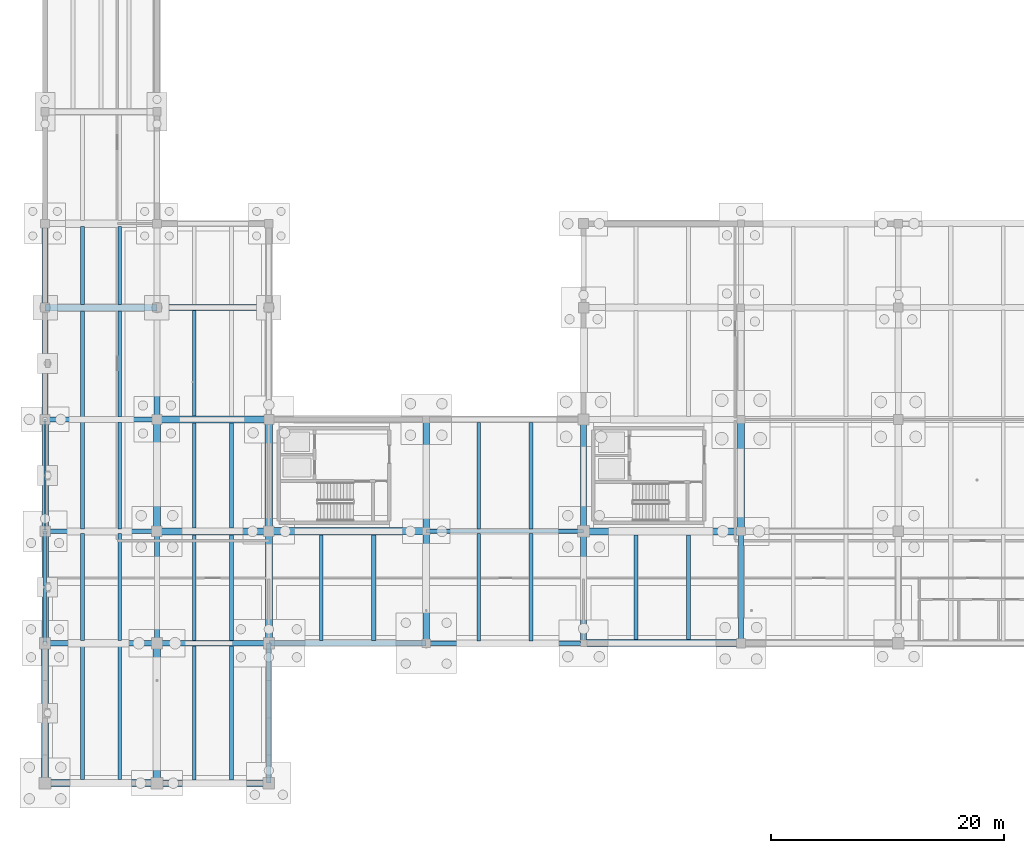
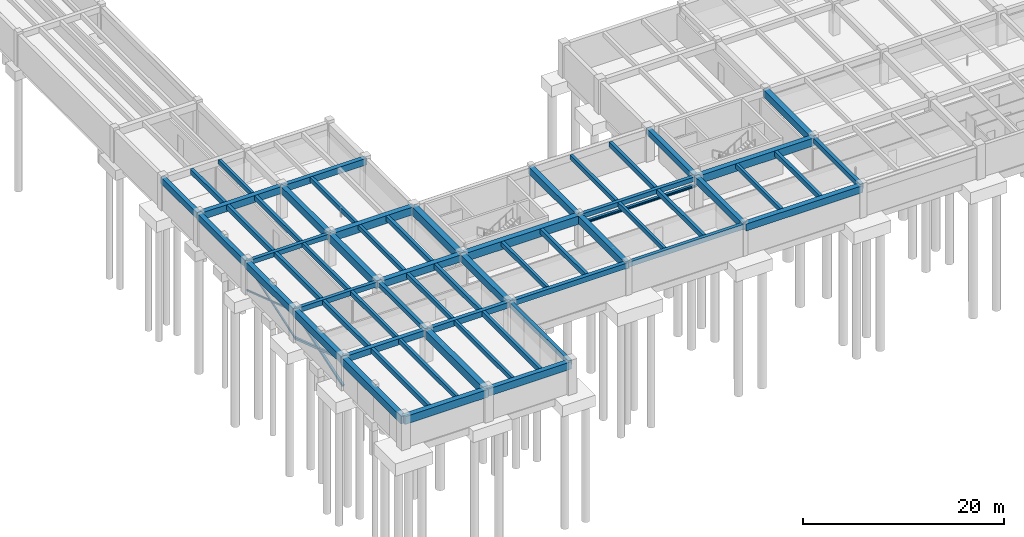
# One storey, part 9 of 41: 60 beams, 6 members.
"""IFC4 building model written with IfcOpenShell, lengths in metres."""

from ifc_helpers import new_model, si_unit, direction, frame, origin, origin_2d, place, context, subcontext, project, spatial, rectangle, hollow_rectangle, i_section, extrude, material, material_profile, profile_set, type_object, element, save


model = new_model("IFC4")

# Units and contexts
model_context = context("Model", 3, precision=1e-05, world=origin(), true_north=direction((0.0, 1.0)))
body_context = subcontext(model_context, "Body", "Model", "MODEL_VIEW")
ifc_project = project(units=[si_unit("LENGTHUNIT", "METRE"), si_unit("AREAUNIT", "SQUARE_METRE"), si_unit("VOLUMEUNIT", "CUBIC_METRE"), si_unit("PLANEANGLEUNIT", "RADIAN"), si_unit("MASSUNIT", "GRAM", prefix="KILO")], contexts=[model_context])

# Site, building, storey
site_placement = place(None, origin())
site = spatial("IfcSite", under=ifc_project, at=site_placement, CompositionType="ELEMENT")
building_placement = place(site_placement, origin())
building = spatial("IfcBuilding", under=site, at=building_placement, Name="Fikremerkos Civic Library", CompositionType="ELEMENT")
storey_placement = place(building_placement, frame((0.0, 0.0, -8.39990234375)))
storey = spatial("IfcBuildingStorey", under=building, at=storey_placement, Name="B02", CompositionType="ELEMENT", Elevation=-8.39990234375)

# Members
ifc_material_1 = material(Name="Steel S355", Category="steel")
ifc_material_profile_1 = material_profile(ifc_material_1, hollow_rectangle(XDim=0.25, YDim=0.25, WallThickness=0.012451171875, at=origin_2d()), Name="SHS 250x250x12.5")
ifc_profile_set_1 = profile_set([ifc_material_profile_1], Name="Steel S355")
member_type_1 = type_object("IfcMemberType", Name="Diagonal brace BRC-01 SHS 250x250x12.5", PredefinedType="BRACE", material=ifc_profile_set_1)
member_1_placement = place(storey_placement, frame((0.0, 12.0, 0.199951171875), z_axis=(0.0, 0.948388641357, 0.317110367137), x_axis=(-1.0, 0.0, 0.0)))
element("IfcMember", 1, at=member_1_placement, inside=storey, type_object=member_type_1, Name="Lateral X-brace continuous diagonal BRC-01 B02 #1", PredefinedType="BRACE", context=body_context, shape_type="SweptSolid", body=[
    extrude(hollow_rectangle(XDim=0.25, YDim=0.25, WallThickness=0.012451171875, at=origin_2d()), origin(), (0.0, 0.0, 1.0), 10.12255859375),
])
member_2_placement = place(storey_placement, frame((0.0, 21.60009765625, 0.199951171875), z_axis=(0.0, -0.948395001023, 0.317091346516), x_axis=(1.0, 0.0, 0.0)))
element("IfcMember", 2, at=member_2_placement, inside=storey, type_object=member_type_1, Name="Lateral X-brace split lower segment BRC-01 B02 #1", PredefinedType="BRACE", context=body_context, shape_type="SweptSolid", body=[
    extrude(hollow_rectangle(XDim=0.25, YDim=0.25, WallThickness=0.012451171875, at=origin_2d()), origin(), (0.0, 0.0, 1.0), 4.91845703125),
])
member_3_placement = place(storey_placement, frame((0.0, 16.664306640625, 1.850341796875), z_axis=(0.0, -0.948390009662, 0.317106274887), x_axis=(1.0, 0.0, 0.0)))
element("IfcMember", 3, at=member_3_placement, inside=storey, type_object=member_type_1, Name="Lateral X-brace split upper segment BRC-01 B02 #1", PredefinedType="BRACE", context=body_context, shape_type="SweptSolid", body=[
    extrude(hollow_rectangle(XDim=0.25, YDim=0.25, WallThickness=0.012451171875, at=origin_2d()), origin(), (0.0, 0.0, 1.0), 4.918212890625),
])
ifc_material_profile_2 = material_profile(ifc_material_1, hollow_rectangle(XDim=0.159912109375, YDim=0.159912109375, WallThickness=0.008056640625, at=origin_2d()), Name="SHS 160x160x8")
ifc_profile_set_2 = profile_set([ifc_material_profile_2], Name="Steel S355")
member_type_2 = type_object("IfcMemberType", Name="Diagonal brace BRC-03 SHS 160x160x8", PredefinedType="BRACE", material=ifc_profile_set_2)
member_4_placement = place(storey_placement, frame((0.0, 21.60009765625, 0.199951171875), z_axis=(0.0, 0.948386215939, 0.317117620792), x_axis=(-1.0, 0.0, 0.0)))
element("IfcMember", 4, at=member_4_placement, inside=storey, type_object=member_type_2, Name="Lateral X-brace continuous diagonal BRC-03 B02 #2", PredefinedType="BRACE", context=body_context, shape_type="SweptSolid", body=[
    extrude(hollow_rectangle(XDim=0.159912109375, YDim=0.159912109375, WallThickness=0.008056640625, at=origin_2d()), origin(), (0.0, 0.0, 1.0), 10.122314453125),
])
for number, where, z_axis, x_axis, name in (
    (5, (0.0, 31.199951171875, 0.199951171875), (0.0, -0.948382812098, 0.31712780029), (1.0, 0.0, 0.0), "Lateral X-brace split lower segment BRC-03 B02 #2"),
    (6, (0.0, 26.30712890625, 1.8359375), (0.0, -0.948382812098, 0.31712780029), (1.0, 0.0, 0.0), "Lateral X-brace split upper segment BRC-03 B02 #2"),
):
    element("IfcMember", number, at=place(storey_placement, frame(where, z_axis=z_axis, x_axis=x_axis)), inside=storey, type_object=member_type_2, Name=name, PredefinedType="BRACE", context=body_context, shape_type="SweptSolid", body=[
        extrude(hollow_rectangle(XDim=0.159912109375, YDim=0.159912109375, WallThickness=0.008056640625, at=origin_2d()), origin(), (0.0, 0.0, 1.0), 4.963134765625),
    ])

# Beams
ifc_material_2 = material(Name="Concrete C40/50", Category="concrete")
ifc_material_profile_3 = material_profile(ifc_material_2, rectangle(XDim=0.35009765625, YDim=0.60009765625, at=origin_2d()), Name="RC 350x600")
ifc_profile_set_3 = profile_set([ifc_material_profile_3], Name="Concrete C40/50")
beam_type_1 = type_object("IfcBeamType", Name="Floor joist JS-01 RC 350x600", PredefinedType="JOIST", material=ifc_profile_set_3)
beam_1_placement = place(storey_placement, frame((3.199951171875, 0.300048828125, 3.559814453125), z_axis=(0.0, 1.0, 0.0), x_axis=(-1.0, 0.0, 0.0)))
element("IfcBeam", 7, at=beam_1_placement, inside=storey, type_object=beam_type_1, Name="Floor joist JS-01 B02 #1", PredefinedType="JOIST", context=body_context, shape_type="SweptSolid", body=[
    extrude(rectangle(XDim=0.35009765625, YDim=0.60009765625, at=origin_2d()), origin(), (0.0, 0.0, 1.0), 11.449951171875),
])
beam_2_placement = place(storey_placement, frame((3.199951171875, 12.25, 3.559814453125), z_axis=(0.0, 1.0, 0.0), x_axis=(-1.0, 0.0, 0.0)))
element("IfcBeam", 8, at=beam_2_placement, inside=storey, type_object=beam_type_1, Name="Floor joist JS-01 B02 #3", PredefinedType="JOIST", context=body_context, shape_type="SweptSolid", body=[
    extrude(rectangle(XDim=0.35009765625, YDim=0.60009765625, at=origin_2d()), origin(), (0.0, 0.0, 1.0), 9.14990234375),
])
beam_3_placement = place(storey_placement, frame((3.199951171875, 21.800048828125, 3.559814453125), z_axis=(0.0, 1.0, 0.0), x_axis=(-1.0, 0.0, 0.0)))
element("IfcBeam", 9, at=beam_3_placement, inside=storey, type_object=beam_type_1, Name="Floor joist JS-01 B02 #5", PredefinedType="JOIST", context=body_context, shape_type="SweptSolid", body=[
    extrude(rectangle(XDim=0.35009765625, YDim=0.60009765625, at=origin_2d()), origin(), (0.0, 0.0, 1.0), 9.199951171875),
])
beam_4_placement = place(storey_placement, frame((3.199951171875, 31.39990234375, 3.559814453125), z_axis=(0.0, 1.0, 0.0), x_axis=(-1.0, 0.0, 0.0)))
element("IfcBeam", 10, at=beam_4_placement, inside=storey, type_object=beam_type_1, Name="Floor joist JS-01 B02 #7", PredefinedType="JOIST", context=body_context, shape_type="SweptSolid", body=[
    extrude(rectangle(XDim=0.35009765625, YDim=0.60009765625, at=origin_2d()), origin(), (0.0, 0.0, 1.0), 9.125),
])
beam_5_placement = place(storey_placement, frame((3.199951171875, 41.074951171875, 3.559814453125), z_axis=(0.0, 1.0, 0.0), x_axis=(-1.0, 0.0, 0.0)))
element("IfcBeam", 11, at=beam_5_placement, inside=storey, type_object=beam_type_1, Name="Floor joist JS-01 B02 #9", PredefinedType="JOIST", context=body_context, shape_type="SweptSolid", body=[
    extrude(rectangle(XDim=0.35009765625, YDim=0.60009765625, at=origin_2d()), origin(), (0.0, 0.0, 1.0), 6.675048828125),
])
beam_6_placement = place(storey_placement, frame((16.0, 0.27490234375, 3.559814453125), z_axis=(0.0, 1.0, 0.0), x_axis=(-1.0, 0.0, 0.0)))
element("IfcBeam", 12, at=beam_6_placement, inside=storey, type_object=beam_type_1, Name="Floor joist JS-01 B02 #23", PredefinedType="JOIST", context=body_context, shape_type="SweptSolid", body=[
    extrude(rectangle(XDim=0.35009765625, YDim=0.60009765625, at=origin_2d()), origin(), (0.0, 0.0, 1.0), 11.5),
])
beam_7_placement = place(storey_placement, frame((16.0, 12.22509765625, 3.559814453125), z_axis=(0.0, 1.0, 0.0), x_axis=(-1.0, 0.0, 0.0)))
element("IfcBeam", 13, at=beam_7_placement, inside=storey, type_object=beam_type_1, Name="Floor joist JS-01 B02 #25", PredefinedType="JOIST", context=body_context, shape_type="SweptSolid", body=[
    extrude(rectangle(XDim=0.35009765625, YDim=0.60009765625, at=origin_2d()), origin(), (0.0, 0.0, 1.0), 9.074951171875),
])
beam_8_placement = place(storey_placement, frame((16.0, 21.89990234375, 3.559814453125), z_axis=(0.0, 1.0, 0.0), x_axis=(-1.0, 0.0, 0.0)))
element("IfcBeam", 14, at=beam_8_placement, inside=storey, type_object=beam_type_1, Name="Floor joist JS-01 B02 #27", PredefinedType="JOIST", context=body_context, shape_type="SweptSolid", body=[
    extrude(rectangle(XDim=0.35009765625, YDim=0.60009765625, at=origin_2d()), origin(), (0.0, 0.0, 1.0), 9.0),
])
beam_9_placement = place(storey_placement, frame((28.199951171875, 12.22509765625, 3.559814453125), z_axis=(0.0, 1.0, 0.0), x_axis=(-1.0, 0.0, 0.0)))
element("IfcBeam", 15, at=beam_9_placement, inside=storey, type_object=beam_type_1, Name="Floor joist JS-01 B02 #33", PredefinedType="JOIST", context=body_context, shape_type="SweptSolid", body=[
    extrude(rectangle(XDim=0.35009765625, YDim=0.60009765625, at=origin_2d()), origin(), (0.0, 0.0, 1.0), 9.0498046875),
])
beam_10_placement = place(storey_placement, frame((41.699951171875, 12.199951171875, 3.559814453125), z_axis=(0.0, 1.0, 0.0), x_axis=(-1.0, 0.0, 0.0)))
element("IfcBeam", 16, at=beam_10_placement, inside=storey, type_object=beam_type_1, Name="Floor joist JS-01 B02 #35", PredefinedType="JOIST", context=body_context, shape_type="SweptSolid", body=[
    extrude(rectangle(XDim=0.35009765625, YDim=0.60009765625, at=origin_2d()), origin(), (0.0, 0.0, 1.0), 9.199951171875),
])
beam_11_placement = place(storey_placement, frame((41.699951171875, 21.800048828125, 3.559814453125), z_axis=(0.0, 1.0, 0.0), x_axis=(-1.0, 0.0, 0.0)))
element("IfcBeam", 17, at=beam_11_placement, inside=storey, type_object=beam_type_1, Name="Floor joist JS-01 B02 #37", PredefinedType="JOIST", context=body_context, shape_type="SweptSolid", body=[
    extrude(rectangle(XDim=0.35009765625, YDim=0.60009765625, at=origin_2d()), origin(), (0.0, 0.0, 1.0), 9.125),
])
beam_12_placement = place(storey_placement, frame((55.199951171875, 12.300048828125, 3.559814453125), z_axis=(0.0, 1.0, 0.0), x_axis=(-1.0, 0.0, 0.0)))
element("IfcBeam", 18, at=beam_12_placement, inside=storey, type_object=beam_type_1, Name="Floor joist JS-01 B02 #39", PredefinedType="JOIST", context=body_context, shape_type="SweptSolid", body=[
    extrude(rectangle(XDim=0.35009765625, YDim=0.60009765625, at=origin_2d()), origin(), (0.0, 0.0, 1.0), 9.0),
])
ifc_material_profile_4 = material_profile(ifc_material_2, rectangle(XDim=0.320068359375, YDim=0.550048828125, at=origin_2d()), Name="RC 320x550")
ifc_profile_set_4 = profile_set([ifc_material_profile_4], Name="Concrete C40/50")
beam_type_2 = type_object("IfcBeamType", Name="Floor joist JS-02 RC 320x550", PredefinedType="JOIST", material=ifc_profile_set_4)
beam_13_placement = place(storey_placement, frame((6.39990234375, 0.300048828125, 3.5849609375), z_axis=(0.0, 1.0, 0.0), x_axis=(-1.0, 0.0, 0.0)))
element("IfcBeam", 19, at=beam_13_placement, inside=storey, type_object=beam_type_2, Name="Floor joist JS-02 B02 #2", PredefinedType="JOIST", context=body_context, shape_type="SweptSolid", body=[
    extrude(rectangle(XDim=0.320068359375, YDim=0.550048828125, at=origin_2d()), origin(), (0.0, 0.0, 1.0), 11.449951171875),
])
beam_14_placement = place(storey_placement, frame((6.39990234375, 12.25, 3.5849609375), z_axis=(0.0, 1.0, 0.0), x_axis=(-1.0, 0.0, 0.0)))
element("IfcBeam", 20, at=beam_14_placement, inside=storey, type_object=beam_type_2, Name="Floor joist JS-02 B02 #4", PredefinedType="JOIST", context=body_context, shape_type="SweptSolid", body=[
    extrude(rectangle(XDim=0.320068359375, YDim=0.550048828125, at=origin_2d()), origin(), (0.0, 0.0, 1.0), 9.14990234375),
])
beam_15_placement = place(storey_placement, frame((6.39990234375, 21.800048828125, 3.5849609375), z_axis=(0.0, 1.0, 0.0), x_axis=(-1.0, 0.0, 0.0)))
element("IfcBeam", 21, at=beam_15_placement, inside=storey, type_object=beam_type_2, Name="Floor joist JS-02 B02 #6", PredefinedType="JOIST", context=body_context, shape_type="SweptSolid", body=[
    extrude(rectangle(XDim=0.320068359375, YDim=0.550048828125, at=origin_2d()), origin(), (0.0, 0.0, 1.0), 9.199951171875),
])
beam_16_placement = place(storey_placement, frame((6.39990234375, 31.39990234375, 3.5849609375), z_axis=(0.0, 1.0, 0.0), x_axis=(-1.0, 0.0, 0.0)))
element("IfcBeam", 22, at=beam_16_placement, inside=storey, type_object=beam_type_2, Name="Floor joist JS-02 B02 #8", PredefinedType="JOIST", context=body_context, shape_type="SweptSolid", body=[
    extrude(rectangle(XDim=0.320068359375, YDim=0.550048828125, at=origin_2d()), origin(), (0.0, 0.0, 1.0), 9.125),
])
beam_17_placement = place(storey_placement, frame((6.39990234375, 41.074951171875, 3.5849609375), z_axis=(0.0, 1.0, 0.0), x_axis=(-1.0, 0.0, 0.0)))
element("IfcBeam", 23, at=beam_17_placement, inside=storey, type_object=beam_type_2, Name="Floor joist JS-02 B02 #10", PredefinedType="JOIST", context=body_context, shape_type="SweptSolid", body=[
    extrude(rectangle(XDim=0.320068359375, YDim=0.550048828125, at=origin_2d()), origin(), (0.0, 0.0, 1.0), 6.675048828125),
])
beam_18_placement = place(storey_placement, frame((12.800048828125, 0.27490234375, 3.5849609375), z_axis=(0.0, 1.0, 0.0), x_axis=(-1.0, 0.0, 0.0)))
element("IfcBeam", 24, at=beam_18_placement, inside=storey, type_object=beam_type_2, Name="Floor joist JS-02 B02 #22", PredefinedType="JOIST", context=body_context, shape_type="SweptSolid", body=[
    extrude(rectangle(XDim=0.320068359375, YDim=0.550048828125, at=origin_2d()), origin(), (0.0, 0.0, 1.0), 11.5),
])
beam_19_placement = place(storey_placement, frame((12.800048828125, 12.22509765625, 3.5849609375), z_axis=(0.0, 1.0, 0.0), x_axis=(-1.0, 0.0, 0.0)))
element("IfcBeam", 25, at=beam_19_placement, inside=storey, type_object=beam_type_2, Name="Floor joist JS-02 B02 #24", PredefinedType="JOIST", context=body_context, shape_type="SweptSolid", body=[
    extrude(rectangle(XDim=0.320068359375, YDim=0.550048828125, at=origin_2d()), origin(), (0.0, 0.0, 1.0), 9.074951171875),
])
beam_20_placement = place(storey_placement, frame((12.800048828125, 21.89990234375, 3.5849609375), z_axis=(0.0, 1.0, 0.0), x_axis=(-1.0, 0.0, 0.0)))
element("IfcBeam", 26, at=beam_20_placement, inside=storey, type_object=beam_type_2, Name="Floor joist JS-02 B02 #26", PredefinedType="JOIST", context=body_context, shape_type="SweptSolid", body=[
    extrude(rectangle(XDim=0.320068359375, YDim=0.550048828125, at=origin_2d()), origin(), (0.0, 0.0, 1.0), 9.0),
])
beam_21_placement = place(storey_placement, frame((12.800048828125, 31.5, 3.5849609375), z_axis=(0.0, 1.0, 0.0), x_axis=(-1.0, 0.0, 0.0)))
element("IfcBeam", 27, at=beam_21_placement, inside=storey, type_object=beam_type_2, Name="Floor joist JS-02 B02 #28", PredefinedType="JOIST", context=body_context, shape_type="SweptSolid", body=[
    extrude(rectangle(XDim=0.320068359375, YDim=0.550048828125, at=origin_2d()), origin(), (0.0, 0.0, 1.0), 9.050048828125),
])
beam_22_placement = place(storey_placement, frame((23.699951171875, 12.22509765625, 3.5849609375), z_axis=(0.0, 1.0, 0.0), x_axis=(-1.0, 0.0, 0.0)))
element("IfcBeam", 28, at=beam_22_placement, inside=storey, type_object=beam_type_2, Name="Floor joist JS-02 B02 #32", PredefinedType="JOIST", context=body_context, shape_type="SweptSolid", body=[
    extrude(rectangle(XDim=0.320068359375, YDim=0.550048828125, at=origin_2d()), origin(), (0.0, 0.0, 1.0), 9.0498046875),
])
beam_23_placement = place(storey_placement, frame((37.199951171875, 12.199951171875, 3.5849609375), z_axis=(0.0, 1.0, 0.0), x_axis=(-1.0, 0.0, 0.0)))
element("IfcBeam", 29, at=beam_23_placement, inside=storey, type_object=beam_type_2, Name="Floor joist JS-02 B02 #34", PredefinedType="JOIST", context=body_context, shape_type="SweptSolid", body=[
    extrude(rectangle(XDim=0.320068359375, YDim=0.550048828125, at=origin_2d()), origin(), (0.0, 0.0, 1.0), 9.199951171875),
])
beam_24_placement = place(storey_placement, frame((37.199951171875, 21.800048828125, 3.5849609375), z_axis=(0.0, 1.0, 0.0), x_axis=(-1.0, 0.0, 0.0)))
element("IfcBeam", 30, at=beam_24_placement, inside=storey, type_object=beam_type_2, Name="Floor joist JS-02 B02 #36", PredefinedType="JOIST", context=body_context, shape_type="SweptSolid", body=[
    extrude(rectangle(XDim=0.320068359375, YDim=0.550048828125, at=origin_2d()), origin(), (0.0, 0.0, 1.0), 9.125),
])
beam_25_placement = place(storey_placement, frame((50.699951171875, 12.300048828125, 3.5849609375), z_axis=(0.0, 1.0, 0.0), x_axis=(-1.0, 0.0, 0.0)))
element("IfcBeam", 31, at=beam_25_placement, inside=storey, type_object=beam_type_2, Name="Floor joist JS-02 B02 #38", PredefinedType="JOIST", context=body_context, shape_type="SweptSolid", body=[
    extrude(rectangle(XDim=0.320068359375, YDim=0.550048828125, at=origin_2d()), origin(), (0.0, 0.0, 1.0), 9.0),
])
ifc_material_profile_5 = material_profile(ifc_material_1, i_section(OverallWidth=0.300048828125, OverallDepth=0.2900390625, WebThickness=0.008544921875, FlangeThickness=0.013916015625, FilletRadius=0.027099609375, at=origin_2d()), Name="HEA 300")
ifc_profile_set_5 = profile_set([ifc_material_profile_5], Name="Steel S355")
beam_type_3 = type_object("IfcBeamType", Name="Opening lintel LNT-03 HEA 300", PredefinedType="LINTEL", material=ifc_profile_set_5)
beam_26_placement = place(storey_placement, frame((32.699951171875, 21.60009765625, 2.64501953125), z_axis=(1.0, 0.0, 0.0), x_axis=(0.0, 1.0, 0.0)))
element("IfcBeam", 32, at=beam_26_placement, inside=storey, type_object=beam_type_3, Name="Interior portal lintel LNT-03 B02 #1", PredefinedType="LINTEL", context=body_context, shape_type="SweptSolid", body=[
    extrude(i_section(OverallWidth=0.300048828125, OverallDepth=0.2900390625, WebThickness=0.008544921875, FlangeThickness=0.013916015625, FilletRadius=0.027099609375, at=origin_2d()), origin(), (0.0, 0.0, 1.0), 13.5),
])
ifc_material_profile_6 = material_profile(ifc_material_2, rectangle(XDim=0.60009765625, YDim=0.949951171875, at=origin_2d()), Name="RC 600x950")
ifc_profile_set_6 = profile_set([ifc_material_profile_6], Name="Concrete C40/50")
beam_type_4 = type_object("IfcBeamType", Name="Primary girder BM-01 RC 600x950", PredefinedType="BEAM", material=ifc_profile_set_6)
beam_27_placement = place(storey_placement, frame((0.0, 0.0, 3.385009765625), z_axis=(1.0, 0.0, 0.0), x_axis=(0.0, 1.0, 0.0)))
element("IfcBeam", 33, at=beam_27_placement, inside=storey, type_object=beam_type_4, Name="Primary girder BM-01 B02 grid A", PredefinedType="BEAM", context=body_context, shape_type="SweptSolid", body=[
    extrude(rectangle(XDim=0.60009765625, YDim=0.949951171875, at=origin_2d()), origin(), (0.0, 0.0, 1.0), 9.60009765625),
])
beam_28_placement = place(storey_placement, frame((46.199951171875, 21.60009765625, 3.385009765625), z_axis=(1.0, 0.0, 0.0), x_axis=(0.0, 1.0, 0.0)))
element("IfcBeam", 34, at=beam_28_placement, inside=storey, type_object=beam_type_4, Name="Primary girder BM-01 B02 grid F", PredefinedType="BEAM", context=body_context, shape_type="SweptSolid", body=[
    extrude(rectangle(XDim=0.60009765625, YDim=0.949951171875, at=origin_2d()), origin(), (0.0, 0.0, 1.0), 13.5),
])
beam_29_placement = place(storey_placement, frame((9.60009765625, 31.199951171875, 3.385009765625), z_axis=(1.0, 0.0, 0.0), x_axis=(0.0, 1.0, 0.0)))
element("IfcBeam", 35, at=beam_29_placement, inside=storey, type_object=beam_type_4, Name="Primary girder BM-01 B02 grid G", PredefinedType="BEAM", context=body_context, shape_type="SweptSolid", body=[
    extrude(rectangle(XDim=0.60009765625, YDim=0.949951171875, at=origin_2d()), origin(), (0.0, 0.0, 1.0), 9.599853515625),
])
beam_30_placement = place(storey_placement, frame((0.0, 0.0, 3.385009765625), z_axis=(0.0, 1.0, 0.0), x_axis=(-1.0, 0.0, 0.0)))
element("IfcBeam", 36, at=beam_30_placement, inside=storey, type_object=beam_type_4, Name="Primary girder BM-01 B02 grid 1", PredefinedType="BEAM", context=body_context, shape_type="SweptSolid", body=[
    extrude(rectangle(XDim=0.60009765625, YDim=0.949951171875, at=origin_2d()), origin(), (0.0, 0.0, 1.0), 12.0),
])
beam_31_placement = place(storey_placement, frame((9.60009765625, 21.60009765625, 3.385009765625), z_axis=(0.0, 1.0, 0.0), x_axis=(-1.0, 0.0, 0.0)))
element("IfcBeam", 37, at=beam_31_placement, inside=storey, type_object=beam_type_4, Name="Primary girder BM-01 B02 grid 2", PredefinedType="BEAM", context=body_context, shape_type="SweptSolid", body=[
    extrude(rectangle(XDim=0.60009765625, YDim=0.949951171875, at=origin_2d()), origin(), (0.0, 0.0, 1.0), 9.599853515625),
])
ifc_material_profile_7 = material_profile(ifc_material_2, rectangle(XDim=0.550048828125, YDim=0.89990234375, at=origin_2d()), Name="RC 550x900")
ifc_profile_set_7 = profile_set([ifc_material_profile_7], Name="Concrete C40/50")
beam_type_5 = type_object("IfcBeamType", Name="Primary girder BM-02 RC 550x900", PredefinedType="BEAM", material=ifc_profile_set_7)
beam_32_placement = place(storey_placement, frame((9.60009765625, 0.0, 3.409912109375), z_axis=(1.0, 0.0, 0.0), x_axis=(0.0, 1.0, 0.0)))
element("IfcBeam", 38, at=beam_32_placement, inside=storey, type_object=beam_type_5, Name="Primary girder BM-02 B02 grid A", PredefinedType="BEAM", context=body_context, shape_type="SweptSolid", body=[
    extrude(rectangle(XDim=0.550048828125, YDim=0.89990234375, at=origin_2d()), origin(), (0.0, 0.0, 1.0), 9.599853515625),
])
for number, where, z_axis, x_axis, name in (
    (39, (0.0, 12.0, 3.409912109375), (0.0, 1.0, 0.0), (-1.0, 0.0, 0.0), "Primary girder BM-02 B02 grid 1"),
    (40, (9.60009765625, 31.199951171875, 3.409912109375), (0.0, 1.0, 0.0), (-1.0, 0.0, 0.0), "Primary girder BM-02 B02 grid 2"),
    (41, (32.699951171875, 12.0, 3.409912109375), (0.0, 1.0, 0.0), (-1.0, 0.0, 0.0), "Primary girder BM-02 B02 grid 4"),
):
    element("IfcBeam", number, at=place(storey_placement, frame(where, z_axis=z_axis, x_axis=x_axis)), inside=storey, type_object=beam_type_5, Name=name, PredefinedType="BEAM", context=body_context, shape_type="SweptSolid", body=[
        extrude(rectangle(XDim=0.550048828125, YDim=0.89990234375, at=origin_2d()), origin(), (0.0, 0.0, 1.0), 9.60009765625),
    ])
ifc_material_profile_8 = material_profile(ifc_material_2, rectangle(XDim=0.550048828125, YDim=0.85009765625, at=origin_2d()), Name="RC 550x850")
ifc_profile_set_8 = profile_set([ifc_material_profile_8], Name="Concrete C40/50")
beam_type_6 = type_object("IfcBeamType", Name="Primary girder BM-03 RC 550x850", PredefinedType="BEAM", material=ifc_profile_set_8)
beam_33_placement = place(storey_placement, frame((0.0, 40.800048828125, 3.434814453125), z_axis=(1.0, 0.0, 0.0), x_axis=(0.0, 1.0, 0.0)))
element("IfcBeam", 42, at=beam_33_placement, inside=storey, type_object=beam_type_6, Name="Primary girder BM-03 B02 grid H", PredefinedType="BEAM", context=body_context, shape_type="SweptSolid", body=[
    extrude(rectangle(XDim=0.550048828125, YDim=0.85009765625, at=origin_2d()), origin(), (0.0, 0.0, 1.0), 9.60009765625),
])
for number, where, z_axis, x_axis, name in (
    (43, (0.0, 21.60009765625, 3.434814453125), (0.0, 1.0, 0.0), (-1.0, 0.0, 0.0), "Primary girder BM-03 B02 grid 1"),
    (44, (32.699951171875, 21.60009765625, 3.434814453125), (0.0, 1.0, 0.0), (-1.0, 0.0, 0.0), "Primary girder BM-03 B02 grid 4"),
):
    element("IfcBeam", number, at=place(storey_placement, frame(where, z_axis=z_axis, x_axis=x_axis)), inside=storey, type_object=beam_type_6, Name=name, PredefinedType="BEAM", context=body_context, shape_type="SweptSolid", body=[
        extrude(rectangle(XDim=0.550048828125, YDim=0.85009765625, at=origin_2d()), origin(), (0.0, 0.0, 1.0), 9.599853515625),
    ])
ifc_material_profile_9 = material_profile(ifc_material_2, rectangle(XDim=0.5, YDim=0.800048828125, at=origin_2d()), Name="RC 500x800")
ifc_profile_set_9 = profile_set([ifc_material_profile_9], Name="Concrete C40/50")
beam_type_7 = type_object("IfcBeamType", Name="Primary girder BM-04 RC 500x800", PredefinedType="BEAM", material=ifc_profile_set_9)
beam_34_placement = place(storey_placement, frame((9.60009765625, 40.800048828125, 3.4599609375), z_axis=(1.0, 0.0, 0.0), x_axis=(0.0, 1.0, 0.0)))
element("IfcBeam", 45, at=beam_34_placement, inside=storey, type_object=beam_type_7, Name="Primary girder BM-04 B02 grid H", PredefinedType="BEAM", context=body_context, shape_type="SweptSolid", body=[
    extrude(rectangle(XDim=0.5, YDim=0.800048828125, at=origin_2d()), origin(), (0.0, 0.0, 1.0), 9.599853515625),
])
for number, where, z_axis, x_axis, name in (
    (46, (0.0, 31.199951171875, 3.4599609375), (0.0, 1.0, 0.0), (-1.0, 0.0, 0.0), "Primary girder BM-04 B02 grid 1"),
    (47, (46.199951171875, 12.0, 3.4599609375), (0.0, 1.0, 0.0), (-1.0, 0.0, 0.0), "Primary girder BM-04 B02 grid 5"),
):
    element("IfcBeam", number, at=place(storey_placement, frame(where, z_axis=z_axis, x_axis=x_axis)), inside=storey, type_object=beam_type_7, Name=name, PredefinedType="BEAM", context=body_context, shape_type="SweptSolid", body=[
        extrude(rectangle(XDim=0.5, YDim=0.800048828125, at=origin_2d()), origin(), (0.0, 0.0, 1.0), 9.60009765625),
    ])
ifc_material_profile_10 = material_profile(ifc_material_2, rectangle(XDim=0.5, YDim=0.75, at=origin_2d()), Name="RC 500x750")
ifc_profile_set_10 = profile_set([ifc_material_profile_10], Name="Concrete C40/50")
beam_type_8 = type_object("IfcBeamType", Name="Primary girder BM-05 RC 500x750", PredefinedType="BEAM", material=ifc_profile_set_10)
beam_35_placement = place(storey_placement, frame((0.0, 12.0, 3.48486328125), z_axis=(1.0, 0.0, 0.0), x_axis=(0.0, 1.0, 0.0)))
element("IfcBeam", 48, at=beam_35_placement, inside=storey, type_object=beam_type_8, Name="Primary girder BM-05 B02 grid E", PredefinedType="BEAM", context=body_context, shape_type="SweptSolid", body=[
    extrude(rectangle(XDim=0.5, YDim=0.75, at=origin_2d()), origin(), (0.0, 0.0, 1.0), 9.60009765625),
])
beam_36_placement = place(storey_placement, frame((0.0, 40.800048828125, 3.48486328125), z_axis=(0.0, 1.0, 0.0), x_axis=(-1.0, 0.0, 0.0)))
element("IfcBeam", 49, at=beam_36_placement, inside=storey, type_object=beam_type_8, Name="Primary girder BM-05 B02 grid 1", PredefinedType="BEAM", context=body_context, shape_type="SweptSolid", body=[
    extrude(rectangle(XDim=0.5, YDim=0.75, at=origin_2d()), origin(), (0.0, 0.0, 1.0), 7.199951171875),
])
beam_37_placement = place(storey_placement, frame((46.199951171875, 21.60009765625, 3.48486328125), z_axis=(0.0, 1.0, 0.0), x_axis=(-1.0, 0.0, 0.0)))
element("IfcBeam", 50, at=beam_37_placement, inside=storey, type_object=beam_type_8, Name="Primary girder BM-05 B02 grid 5", PredefinedType="BEAM", context=body_context, shape_type="SweptSolid", body=[
    extrude(rectangle(XDim=0.5, YDim=0.75, at=origin_2d()), origin(), (0.0, 0.0, 1.0), 9.599853515625),
])
ifc_material_profile_11 = material_profile(ifc_material_2, rectangle(XDim=0.449951171875, YDim=0.699951171875, at=origin_2d()), Name="RC 450x700")
ifc_profile_set_11 = profile_set([ifc_material_profile_11], Name="Concrete C40/50")
beam_type_9 = type_object("IfcBeamType", Name="Primary girder BM-06 RC 450x700", PredefinedType="BEAM", material=ifc_profile_set_11)
beam_38_placement = place(storey_placement, frame((9.60009765625, 12.0, 3.510009765625), z_axis=(1.0, 0.0, 0.0), x_axis=(0.0, 1.0, 0.0)))
element("IfcBeam", 51, at=beam_38_placement, inside=storey, type_object=beam_type_9, Name="Primary girder BM-06 B02 grid E", PredefinedType="BEAM", context=body_context, shape_type="SweptSolid", body=[
    extrude(rectangle(XDim=0.449951171875, YDim=0.699951171875, at=origin_2d()), origin(), (0.0, 0.0, 1.0), 9.599853515625),
])
ifc_material_profile_12 = material_profile(ifc_material_2, rectangle(XDim=0.449951171875, YDim=0.64990234375, at=origin_2d()), Name="RC 450x650")
ifc_profile_set_12 = profile_set([ifc_material_profile_12], Name="Concrete C40/50")
beam_type_10 = type_object("IfcBeamType", Name="Primary girder BM-07 RC 450x650", PredefinedType="BEAM", material=ifc_profile_set_12)
beam_39_placement = place(storey_placement, frame((19.199951171875, 12.0, 3.534912109375), z_axis=(1.0, 0.0, 0.0), x_axis=(0.0, 1.0, 0.0)))
element("IfcBeam", 52, at=beam_39_placement, inside=storey, type_object=beam_type_10, Name="Primary girder BM-07 B02 grid E", PredefinedType="BEAM", context=body_context, shape_type="SweptSolid", body=[
    extrude(rectangle(XDim=0.449951171875, YDim=0.64990234375, at=origin_2d()), origin(), (0.0, 0.0, 1.0), 13.5),
])
ifc_material_profile_13 = material_profile(ifc_material_2, rectangle(XDim=0.39990234375, YDim=0.60009765625, at=origin_2d()), Name="RC 400x600")
ifc_profile_set_13 = profile_set([ifc_material_profile_13], Name="Concrete C40/50")
beam_type_11 = type_object("IfcBeamType", Name="Primary girder BM-08 RC 400x600", PredefinedType="BEAM", material=ifc_profile_set_13)
beam_40_placement = place(storey_placement, frame((32.699951171875, 12.0, 3.559814453125), z_axis=(1.0, 0.0, 0.0), x_axis=(0.0, 1.0, 0.0)))
element("IfcBeam", 53, at=beam_40_placement, inside=storey, type_object=beam_type_11, Name="Primary girder BM-08 B02 grid E", PredefinedType="BEAM", context=body_context, shape_type="SweptSolid", body=[
    extrude(rectangle(XDim=0.39990234375, YDim=0.60009765625, at=origin_2d()), origin(), (0.0, 0.0, 1.0), 13.5),
])
beam_41_placement = place(storey_placement, frame((0.0, 21.60009765625, 3.559814453125), z_axis=(1.0, 0.0, 0.0), x_axis=(0.0, 1.0, 0.0)))
element("IfcBeam", 54, at=beam_41_placement, inside=storey, type_object=beam_type_11, Name="Primary girder BM-08 B02 grid F", PredefinedType="BEAM", context=body_context, shape_type="SweptSolid", body=[
    extrude(rectangle(XDim=0.39990234375, YDim=0.60009765625, at=origin_2d()), origin(), (0.0, 0.0, 1.0), 9.60009765625),
])
beam_42_placement = place(storey_placement, frame((19.199951171875, 0.0, 3.559814453125), z_axis=(0.0, 1.0, 0.0), x_axis=(-1.0, 0.0, 0.0)))
element("IfcBeam", 55, at=beam_42_placement, inside=storey, type_object=beam_type_11, Name="Primary girder BM-08 B02 grid 3", PredefinedType="BEAM", context=body_context, shape_type="SweptSolid", body=[
    extrude(rectangle(XDim=0.39990234375, YDim=0.60009765625, at=origin_2d()), origin(), (0.0, 0.0, 1.0), 12.0),
])
beam_43_placement = place(storey_placement, frame((59.699951171875, 12.0, 3.559814453125), z_axis=(0.0, 1.0, 0.0), x_axis=(-1.0, 0.0, 0.0)))
element("IfcBeam", 56, at=beam_43_placement, inside=storey, type_object=beam_type_11, Name="Primary girder BM-08 B02 grid 6", PredefinedType="BEAM", context=body_context, shape_type="SweptSolid", body=[
    extrude(rectangle(XDim=0.39990234375, YDim=0.60009765625, at=origin_2d()), origin(), (0.0, 0.0, 1.0), 9.60009765625),
])
ifc_material_profile_14 = material_profile(ifc_material_2, rectangle(XDim=0.60009765625, YDim=0.85009765625, at=origin_2d()), Name="RC 600x850")
ifc_profile_set_14 = profile_set([ifc_material_profile_14], Name="Concrete C40/50")
beam_type_12 = type_object("IfcBeamType", Name="Primary girder BM-24 RC 600x850", PredefinedType="BEAM", material=ifc_profile_set_14)
beam_44_placement = place(storey_placement, frame((46.199951171875, 12.0, 3.434814453125), z_axis=(1.0, 0.0, 0.0), x_axis=(0.0, 1.0, 0.0)))
element("IfcBeam", 57, at=beam_44_placement, inside=storey, type_object=beam_type_12, Name="Primary girder BM-24 B02 grid E", PredefinedType="BEAM", context=body_context, shape_type="SweptSolid", body=[
    extrude(rectangle(XDim=0.60009765625, YDim=0.85009765625, at=origin_2d()), origin(), (0.0, 0.0, 1.0), 13.5),
])
beam_45_placement = place(storey_placement, frame((9.60009765625, 21.60009765625, 3.434814453125), z_axis=(1.0, 0.0, 0.0), x_axis=(0.0, 1.0, 0.0)))
element("IfcBeam", 58, at=beam_45_placement, inside=storey, type_object=beam_type_12, Name="Primary girder BM-24 B02 grid F", PredefinedType="BEAM", context=body_context, shape_type="SweptSolid", body=[
    extrude(rectangle(XDim=0.60009765625, YDim=0.85009765625, at=origin_2d()), origin(), (0.0, 0.0, 1.0), 9.599853515625),
])
beam_46_placement = place(storey_placement, frame((19.199951171875, 12.0, 3.434814453125), z_axis=(0.0, 1.0, 0.0), x_axis=(-1.0, 0.0, 0.0)))
element("IfcBeam", 59, at=beam_46_placement, inside=storey, type_object=beam_type_12, Name="Primary girder BM-24 B02 grid 3", PredefinedType="BEAM", context=body_context, shape_type="SweptSolid", body=[
    extrude(rectangle(XDim=0.60009765625, YDim=0.85009765625, at=origin_2d()), origin(), (0.0, 0.0, 1.0), 9.60009765625),
])
beam_47_placement = place(storey_placement, frame((59.699951171875, 21.60009765625, 3.434814453125), z_axis=(0.0, 1.0, 0.0), x_axis=(-1.0, 0.0, 0.0)))
element("IfcBeam", 60, at=beam_47_placement, inside=storey, type_object=beam_type_12, Name="Primary girder BM-24 B02 grid 6", PredefinedType="BEAM", context=body_context, shape_type="SweptSolid", body=[
    extrude(rectangle(XDim=0.60009765625, YDim=0.85009765625, at=origin_2d()), origin(), (0.0, 0.0, 1.0), 9.599853515625),
])
ifc_material_3 = material(Name="Concrete C45/55", Category="concrete")
ifc_material_profile_15 = material_profile(ifc_material_3, rectangle(XDim=0.64990234375, YDim=1.0, at=origin_2d()), Name="RC 650x1000")
ifc_profile_set_15 = profile_set([ifc_material_profile_15], Name="Concrete C45/55")
beam_type_13 = type_object("IfcBeamType", Name="Primary girder BM-25 RC 650x1000", PredefinedType="BEAM", material=ifc_profile_set_15)
beam_48_placement = place(storey_placement, frame((19.199951171875, 21.60009765625, 3.35986328125), z_axis=(1.0, 0.0, 0.0), x_axis=(0.0, 1.0, 0.0)))
element("IfcBeam", 61, at=beam_48_placement, inside=storey, type_object=beam_type_13, Name="Primary girder BM-25 B02 grid F", PredefinedType="BEAM", context=body_context, shape_type="SweptSolid", body=[
    extrude(rectangle(XDim=0.64990234375, YDim=1.0, at=origin_2d()), origin(), (0.0, 0.0, 1.0), 13.5),
])
beam_49_placement = place(storey_placement, frame((9.60009765625, 0.0, 3.35986328125), z_axis=(0.0, 1.0, 0.0), x_axis=(-1.0, 0.0, 0.0)))
element("IfcBeam", 62, at=beam_49_placement, inside=storey, type_object=beam_type_13, Name="Primary girder BM-25 B02 grid 2", PredefinedType="BEAM", context=body_context, shape_type="SweptSolid", body=[
    extrude(rectangle(XDim=0.64990234375, YDim=1.0, at=origin_2d()), origin(), (0.0, 0.0, 1.0), 12.0),
])
beam_50_placement = place(storey_placement, frame((19.199951171875, 21.60009765625, 3.35986328125), z_axis=(0.0, 1.0, 0.0), x_axis=(-1.0, 0.0, 0.0)))
element("IfcBeam", 63, at=beam_50_placement, inside=storey, type_object=beam_type_13, Name="Primary girder BM-25 B02 grid 3", PredefinedType="BEAM", context=body_context, shape_type="SweptSolid", body=[
    extrude(rectangle(XDim=0.64990234375, YDim=1.0, at=origin_2d()), origin(), (0.0, 0.0, 1.0), 9.599853515625),
])
ifc_material_profile_16 = material_profile(ifc_material_2, rectangle(XDim=0.39990234375, YDim=0.550048828125, at=origin_2d()), Name="RC 400x550")
ifc_profile_set_16 = profile_set([ifc_material_profile_16], Name="Concrete C40/50")
beam_type_14 = type_object("IfcBeamType", Name="Primary girder BM-26 RC 400x550", PredefinedType="BEAM", material=ifc_profile_set_16)
beam_51_placement = place(storey_placement, frame((32.699951171875, 21.60009765625, 3.5849609375), z_axis=(1.0, 0.0, 0.0), x_axis=(0.0, 1.0, 0.0)))
element("IfcBeam", 64, at=beam_51_placement, inside=storey, type_object=beam_type_14, Name="Primary girder BM-26 B02 grid F", PredefinedType="BEAM", context=body_context, shape_type="SweptSolid", body=[
    extrude(rectangle(XDim=0.39990234375, YDim=0.550048828125, at=origin_2d()), origin(), (0.0, 0.0, 1.0), 13.5),
])
for number, where, z_axis, x_axis, name in (
    (65, (0.0, 31.199951171875, 3.5849609375), (1.0, 0.0, 0.0), (0.0, 1.0, 0.0), "Primary girder BM-26 B02 grid G"),
    (66, (9.60009765625, 12.0, 3.5849609375), (0.0, 1.0, 0.0), (-1.0, 0.0, 0.0), "Primary girder BM-26 B02 grid 2"),
):
    element("IfcBeam", number, at=place(storey_placement, frame(where, z_axis=z_axis, x_axis=x_axis)), inside=storey, type_object=beam_type_14, Name=name, PredefinedType="BEAM", context=body_context, shape_type="SweptSolid", body=[
        extrude(rectangle(XDim=0.39990234375, YDim=0.550048828125, at=origin_2d()), origin(), (0.0, 0.0, 1.0), 9.60009765625),
    ])

save(model, "model.ifc")
